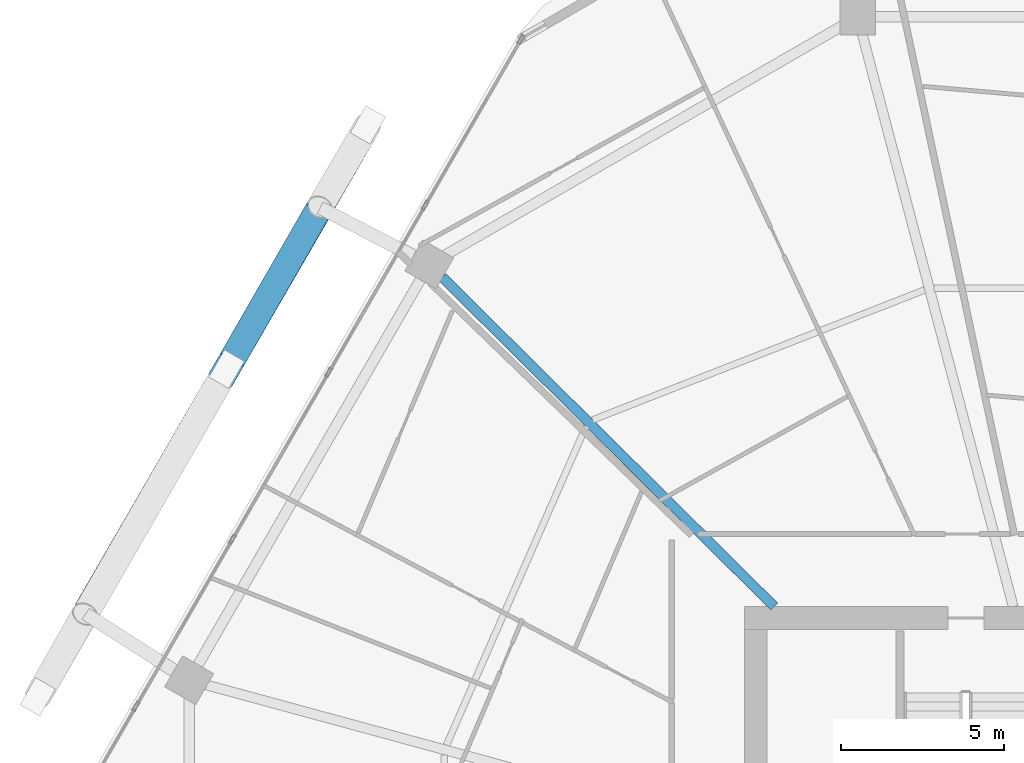
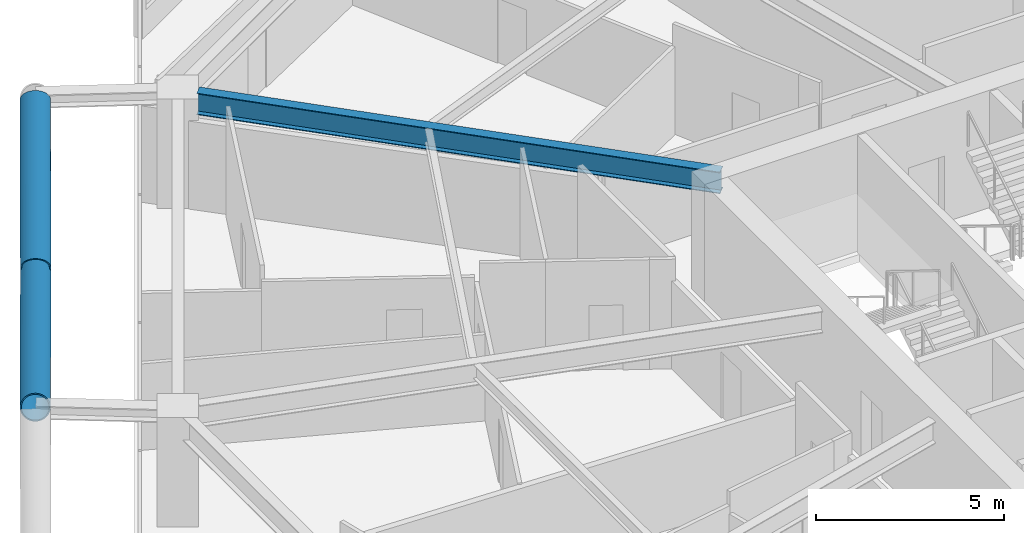
# One storey, part 17 of 35: 2 members, 1 beam.
"""IFC4 building model written with IfcOpenShell, lengths in metres."""

from ifc_helpers import new_model, si_unit, direction, frame, origin, origin_2d, place, context, subcontext, project, spatial, hollow_circle, i_section, extrude, material, material_profile, profile_set, type_object, element, save


model = new_model("IFC4")

# Units and contexts
model_context = context("Model", 3, precision=1e-05, world=origin(), true_north=direction((0.0, 1.0)))
body_context = subcontext(model_context, "Body", "Model", "MODEL_VIEW")
ifc_project = project(units=[si_unit("LENGTHUNIT", "METRE"), si_unit("AREAUNIT", "SQUARE_METRE"), si_unit("VOLUMEUNIT", "CUBIC_METRE"), si_unit("PLANEANGLEUNIT", "RADIAN"), si_unit("MASSUNIT", "GRAM", prefix="KILO")], contexts=[model_context])

# Site, building, storey
site_placement = place(None, origin())
site = spatial("IfcSite", under=ifc_project, at=site_placement, CompositionType="ELEMENT")
building_placement = place(site_placement, origin())
building = spatial("IfcBuilding", under=site, at=building_placement, Name="Zuhravey Tower", CompositionType="ELEMENT")
storey_placement = place(building_placement, frame((0.0, 0.0, 138.0)))
storey = spatial("IfcBuildingStorey", under=building, at=storey_placement, Name="L34", CompositionType="ELEMENT", Elevation=138.0)

# Members
ifc_material_1 = material(Name="Steel SM460", Category="steel")
ifc_material_profile_1 = material_profile(ifc_material_1, hollow_circle(Radius=0.406494140625, WallThickness=0.035888671875, at=origin_2d()), Name="CHS-812.8x36")
ifc_profile_set_1 = profile_set([ifc_material_profile_1], Name="Steel SM460")
member_type = type_object("IfcMemberType", Name="Exoskeleton Zone 1 Diagrid CHS813x36", PredefinedType="BRACE", material=ifc_profile_set_1)
member_1_placement = place(storey_placement, frame((13.5634765625, 56.575927734375, -0.4482421875), z_axis=(-0.489125831757, -0.845508362924, 0.214176396772), x_axis=(0.865594483334, -0.50074563445, 0.0)))
element("IfcMember", 1, at=member_1_placement, inside=storey, type_object=member_type, Name="L34 Face 3 Diagrid Brace 2", PredefinedType="BRACE", context=body_context, shape_type="SweptSolid", body=[
    extrude(hollow_circle(Radius=0.406494140625, WallThickness=0.035888671875, at=origin_2d()), origin(), (0.0, 0.0, 1.0), 17.595458984375),
])
member_2_placement = place(storey_placement, frame((9.447998046875, 49.46337890625, 1.56103515625), z_axis=(0.473427120688, 0.822536258009, 0.315120398669), x_axis=(-0.866692779429, 0.498842285784, 0.0)))
element("IfcMember", 2, at=member_2_placement, inside=storey, type_object=member_type, Name="L34 Face 3 Split Diagrid Brace 3B", PredefinedType="BRACE", context=body_context, shape_type="SweptSolid", body=[
    extrude(hollow_circle(Radius=0.406494140625, WallThickness=0.035888671875, at=origin_2d()), origin(), (0.0, 0.0, 1.0), 5.5595703125),
])

# Beam
ifc_material_2 = material(Name="Steel SM355", Category="steel")
ifc_material_profile_2 = material_profile(ifc_material_2, i_section(OverallWidth=0.300048828125, OverallDepth=0.699951171875, WebThickness=0.012939453125, FlangeThickness=0.02392578125, at=origin_2d()), Name="H-700x300x13x24")
ifc_profile_set_2 = profile_set([ifc_material_profile_2], Name="Steel SM355")
beam_type = type_object("IfcBeamType", Name="Radial Primary Girder H700x300", PredefinedType="BEAM", material=ifc_profile_set_2)
beam_placement = place(storey_placement, frame((26.068603515625, 41.85302734375, 3.199951171875), z_axis=(-0.709906230344, 0.704296204816, 0.0), x_axis=(-0.704296204816, -0.709906230344, 0.0)))
element("IfcBeam", 3, at=beam_placement, inside=storey, type_object=beam_type, Name="L34 RG1 BM-L34-RAD-05", PredefinedType="BEAM", context=body_context, shape_type="SweptSolid", body=[
    extrude(i_section(OverallWidth=0.300048828125, OverallDepth=0.699951171875, WebThickness=0.012939453125, FlangeThickness=0.02392578125, at=origin_2d()), origin(), (0.0, 0.0, 1.0), 14.361083984375),
])

save(model, "model.ifc")
